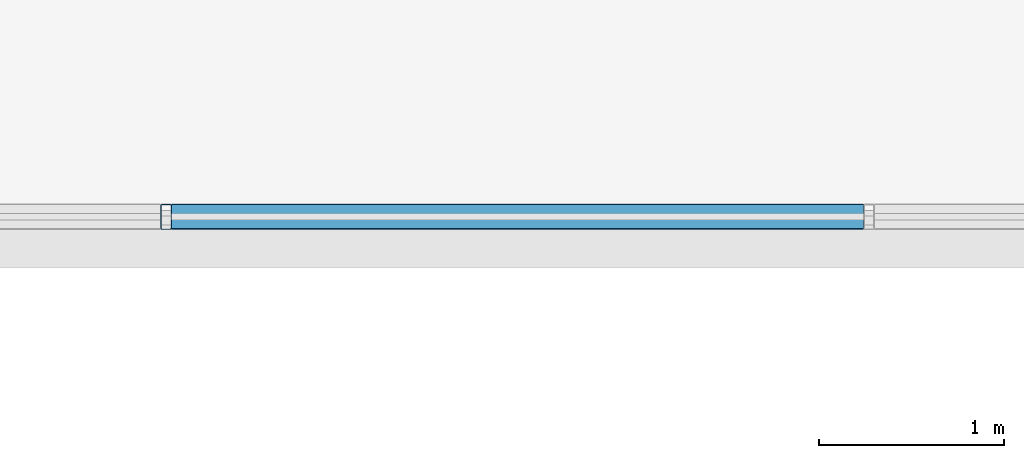
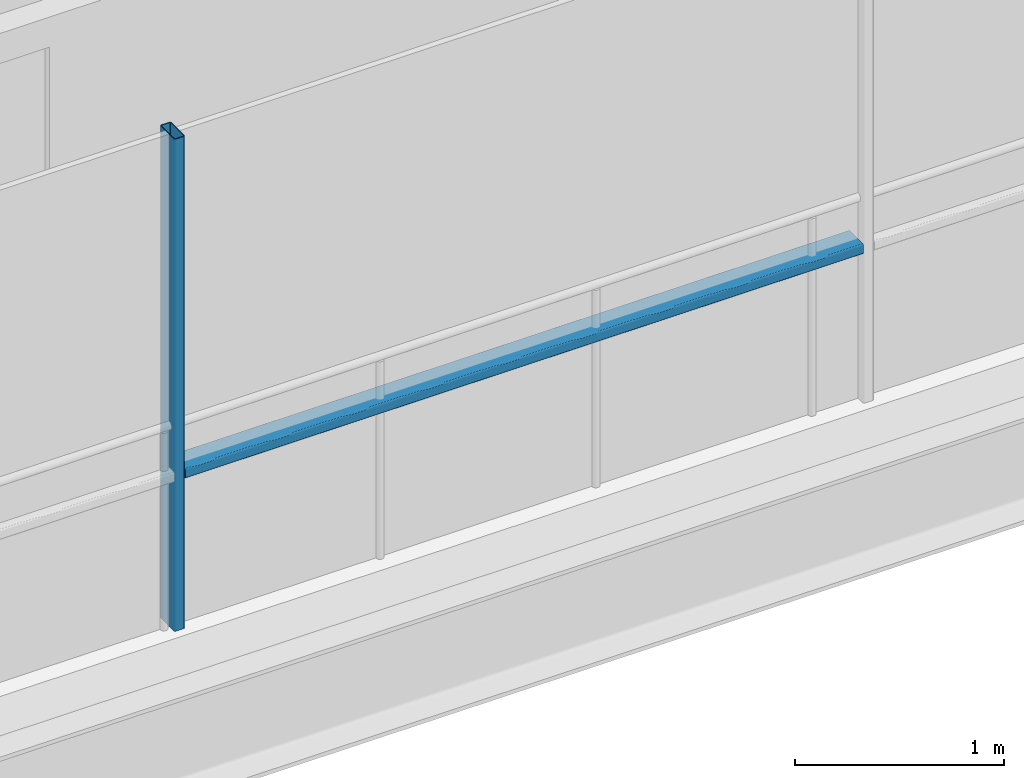
# One storey, part 11 of 40: 2 members, 1 element without a shape of its own.
"""IFC4 building model written with IfcOpenShell, lengths in metres."""

from ifc_helpers import new_model, si_unit, direction, frame, origin, origin_2d, place, context, subcontext, project, spatial, hollow_rectangle, extrude, material, layer, layer_set, material_profile, profile_set, type_object, element, aggregate, save


model = new_model("IFC4")

# Units and contexts
model_context = context("Model", 3, precision=1e-05, world=origin(), true_north=direction((0.0, 1.0)))
body_context = subcontext(model_context, "Body", "Model", "MODEL_VIEW")
ifc_project = project(units=[si_unit("LENGTHUNIT", "METRE"), si_unit("AREAUNIT", "SQUARE_METRE"), si_unit("VOLUMEUNIT", "CUBIC_METRE"), si_unit("PLANEANGLEUNIT", "RADIAN"), si_unit("MASSUNIT", "GRAM", prefix="KILO")], contexts=[model_context])

# Site, building, storey
site_placement = place(None, origin())
site = spatial("IfcSite", under=ifc_project, at=site_placement, CompositionType="ELEMENT")
building_placement = place(site_placement, origin())
building = spatial("IfcBuilding", under=site, at=building_placement, Name="Brevholm Reach", CompositionType="ELEMENT")
storey_placement = place(building_placement, frame((0.0, 0.0, 80.699951171875)))
storey = spatial("IfcBuildingStorey", under=building, at=storey_placement, Name="L23", CompositionType="ELEMENT", Elevation=80.699951171875)

# Curtain wall, members
ifc_material_1 = material(Name="Dark Anodised Aluminium 6063-T6 and Solar-Control Glass", Category="aluminium")
ifc_layer = layer(ifc_material_1, 0.139892578125)
ifc_layer_set = layer_set([ifc_layer], Name="Dark Anodised Aluminium 6063-T6 and Solar-Control Glass")
curtain_wall_type = type_object("IfcCurtainWallType", Name="CW-02", PredefinedType="NOTDEFINED", material=ifc_layer_set)
curtain_wall_placement = place(storey_placement, origin())
curtain_wall = element("IfcCurtainWall", 1, at=curtain_wall_placement, inside=storey, type_object=curtain_wall_type, Name="L23 Curtain Wall CW-02", PredefinedType="NOTDEFINED")
ifc_material_2 = material(Name="Dark Anodised Aluminium 6063-T6", Category="aluminium")
ifc_material_profile_1 = material_profile(ifc_material_2, hollow_rectangle(XDim=0.06005859375, YDim=0.139892578125, WallThickness=0.0048828125, InnerFilletRadius=0.0048828125, OuterFilletRadius=0.010009765625, at=origin_2d()), Name="RHS 140x60x5")
ifc_profile_set_1 = profile_set([ifc_material_profile_1], Name="Dark Anodised Aluminium 6063-T6")
member_type_1 = type_object("IfcMemberType", Name="CWM-140", PredefinedType="MULLION", material=ifc_profile_set_1)
member_1_placement = place(storey_placement, frame((30.050048828125, 26.6201171875, 0.0), z_axis=(0.0, 0.0, 1.0), x_axis=(-1.0, 0.0, 0.0)))
member_1 = element("IfcMember", 2, at=member_1_placement, type_object=member_type_1, Name="CM-140 Mullion 3", PredefinedType="MULLION", context=body_context, shape_type="SweptSolid", body=[
    extrude(hollow_rectangle(XDim=0.06005859375, YDim=0.139892578125, WallThickness=0.0048828125, InnerFilletRadius=0.0048828125, OuterFilletRadius=0.010009765625, at=origin_2d()), origin(), (0.0, 0.0, 1.0), 2.8701171875),
])
ifc_material_3 = material(Name="Dark Anodised Aluminium 6063-T6", Category="aluminium")
ifc_material_profile_2 = material_profile(ifc_material_3, hollow_rectangle(XDim=0.06005859375, YDim=0.139892578125, WallThickness=0.0048828125, InnerFilletRadius=0.0048828125, OuterFilletRadius=0.010009765625, at=origin_2d()), Name="RHS 140x60x5")
ifc_profile_set_2 = profile_set([ifc_material_profile_2], Name="Dark Anodised Aluminium 6063-T6")
member_type_2 = type_object("IfcMemberType", Name="CWT-140", PredefinedType="NOTDEFINED", material=ifc_profile_set_2)
member_2_placement = place(storey_placement, frame((33.820068359375, 26.6201171875, 0.900146484375), z_axis=(-1.0, 0.0, 0.0), x_axis=(0.0, 0.0, 1.0)))
member_2 = element("IfcMember", 3, at=member_2_placement, type_object=member_type_2, Name="CT-140 Transom 2.1", ObjectType="TRANSOM", PredefinedType="USERDEFINED", context=body_context, shape_type="SweptSolid", body=[
    extrude(hollow_rectangle(XDim=0.06005859375, YDim=0.139892578125, WallThickness=0.0048828125, InnerFilletRadius=0.0048828125, OuterFilletRadius=0.010009765625, at=origin_2d()), origin(), (0.0, 0.0, 1.0), 3.739990234375),
])
aggregate(curtain_wall, [member_1, member_2])

save(model, "model.ifc")
